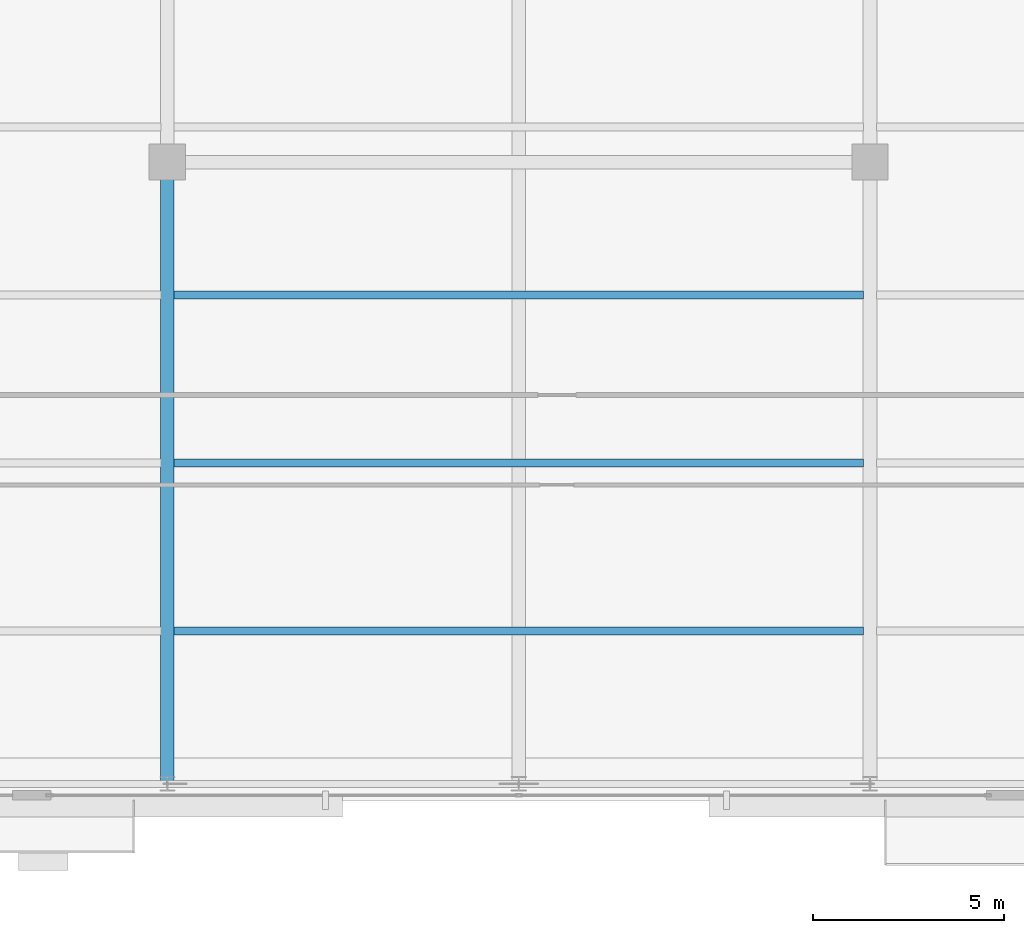
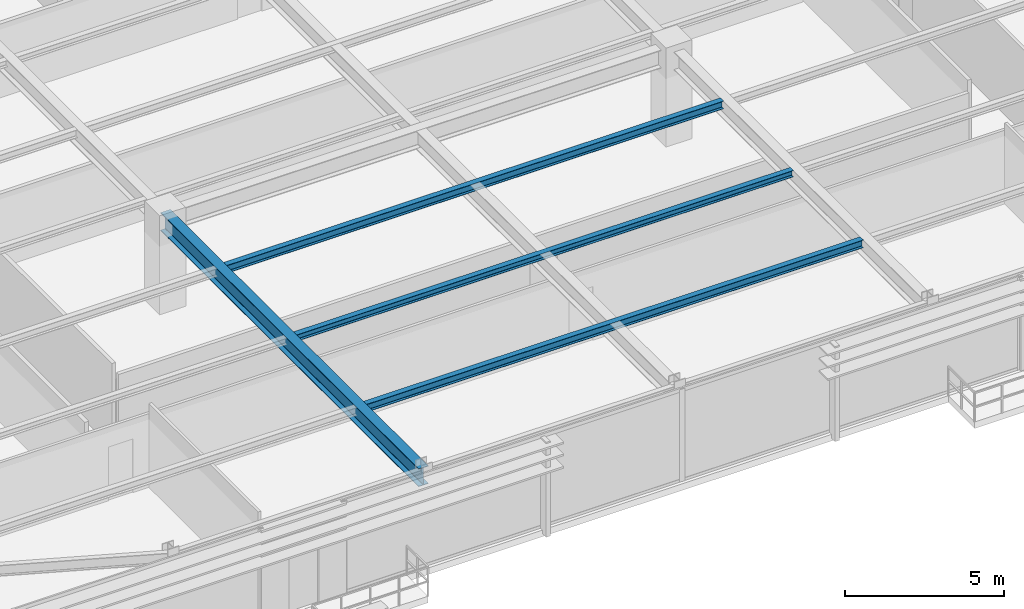
# One storey, part 7 of 36: 4 beams.
"""IFC4 building model written with IfcOpenShell, lengths in metres."""

from ifc_helpers import new_model, si_unit, direction, frame, origin, origin_2d, place, context, subcontext, project, spatial, i_section, extrude, source, transform, mapped, material, material_profile, profile_set, type_object, type_shapes, element, save


model = new_model("IFC4")

# Units and contexts
model_context = context("Model", 3, precision=1e-05, world=origin(), true_north=direction((0.0, 1.0)))
body_context = subcontext(model_context, "Body", "Model", "MODEL_VIEW")
ifc_project = project(units=[si_unit("LENGTHUNIT", "METRE"), si_unit("AREAUNIT", "SQUARE_METRE"), si_unit("VOLUMEUNIT", "CUBIC_METRE"), si_unit("PLANEANGLEUNIT", "RADIAN"), si_unit("MASSUNIT", "GRAM", prefix="KILO")], contexts=[model_context])

# Site, building, storey
site_placement = place(None, origin())
site = spatial("IfcSite", under=ifc_project, at=site_placement, CompositionType="ELEMENT")
building_placement = place(site_placement, origin())
building = spatial("IfcBuilding", under=site, at=building_placement, Name="Varnel Quay Broadcast Tower", CompositionType="ELEMENT")
storey_placement = place(building_placement, frame((0.0, 0.0, 114.39990234375)))
storey = spatial("IfcBuildingStorey", under=building, at=storey_placement, Name="L27", CompositionType="ELEMENT", Elevation=114.39990234375)

# Beams
ifc_material = material(Name="Structural Steel CSA G40.21 350W", Category="steel")
ifc_material_profile_1 = material_profile(ifc_material, i_section(OverallWidth=0.35498046875, OverallDepth=0.695068359375, WebThickness=0.015380859375, FlangeThickness=0.02490234375, FilletRadius=0.01806640625, at=origin_2d()), Name="W690X217")
ifc_profile_set_1 = profile_set([ifc_material_profile_1], Name="Structural Steel CSA G40.21 350W")
beam_type_1 = type_object("IfcBeamType", Name="Girder_W690X217", PredefinedType="BEAM", material=ifc_profile_set_1)
shared_shape_1 = source(origin(), body_context, "Body", "SweptSolid", [
    extrude(i_section(OverallWidth=0.35498046875, OverallDepth=0.695068359375, WebThickness=0.015380859375, FlangeThickness=0.02490234375, FilletRadius=0.01806640625, at=origin_2d()), origin(), (0.0, 0.0, 1.0), 16.239990234375),
])
type_shapes(beam_type_1, [shared_shape_1])
beam_1_placement = place(storey_placement, frame((24.800048828125, 4.669921875, 3.20263671875), z_axis=(0.0, 1.0, 0.0), x_axis=(-1.0, 0.0, 0.0)))
element("IfcBeam", 1, at=beam_1_placement, inside=storey, type_object=beam_type_1, Name="L27 Primary Girder TC-S2-IC-01", PredefinedType="BEAM", context=body_context, shape_type="MappedRepresentation", body=[
    mapped(shared_shape_1, transform((0.0, 0.0, 0.0), x_axis=(1.0, 0.0, 0.0), y_axis=(0.0, 1.0, 0.0), z_axis=(0.0, 0.0, 1.0), scale=1.0)),
])
ifc_material_profile_2 = material_profile(ifc_material, i_section(OverallWidth=0.202880859375, OverallDepth=0.302978515625, WebThickness=0.007568359375, FlangeThickness=0.01318359375, FilletRadius=0.011962890625, at=origin_2d()), Name="W310X60")
ifc_profile_set_2 = profile_set([ifc_material_profile_2], Name="Structural Steel CSA G40.21 350W")
beam_type_2 = type_object("IfcBeamType", Name="Beam_W310X60", PredefinedType="JOIST", material=ifc_profile_set_2)
shared_shape_2 = source(origin(), body_context, "Body", "SweptSolid", [
    extrude(i_section(OverallWidth=0.202880859375, OverallDepth=0.302978515625, WebThickness=0.007568359375, FlangeThickness=0.01318359375, FilletRadius=0.011962890625, at=origin_2d()), origin(), (0.0, 0.0, 1.0), 18.05517578125),
])
type_shapes(beam_type_2, [shared_shape_2])
for number, where, z_axis, x_axis, name in (
    (2, (24.972412109375, 8.64990234375, 3.398681640625), (1.0, 0.0, 0.0), (0.0, 1.0, 0.0), "L27 Central Floor Joist 1"),
    (3, (24.972412109375, 17.449951171875, 3.398681640625), (1.0, 0.0, 0.0), (0.0, 1.0, 0.0), "L27 Central Floor Joist 3"),
):
    element("IfcBeam", number, at=place(storey_placement, frame(where, z_axis=z_axis, x_axis=x_axis)), inside=storey, type_object=beam_type_2, Name=name, PredefinedType="JOIST", context=body_context, shape_type="MappedRepresentation", body=[
        mapped(shared_shape_2, transform((0.0, 0.0, 0.0), x_axis=(1.0, 0.0, 0.0), y_axis=(0.0, 1.0, 0.0), z_axis=(0.0, 0.0, 1.0), scale=1.0)),
    ])
ifc_material_profile_3 = material_profile(ifc_material, i_section(OverallWidth=0.201904296875, OverallDepth=0.2470703125, WebThickness=0.00732421875, FlangeThickness=0.010986328125, FilletRadius=0.010986328125, at=origin_2d()), Name="W250X49")
ifc_profile_set_3 = profile_set([ifc_material_profile_3], Name="Structural Steel CSA G40.21 350W")
beam_type_3 = type_object("IfcBeamType", Name="Beam_W250X49", PredefinedType="JOIST", material=ifc_profile_set_3)
shared_shape_3 = source(origin(), body_context, "Body", "SweptSolid", [
    extrude(i_section(OverallWidth=0.201904296875, OverallDepth=0.2470703125, WebThickness=0.00732421875, FlangeThickness=0.010986328125, FilletRadius=0.010986328125, at=origin_2d()), origin(), (0.0, 0.0, 1.0), 18.05517578125),
])
type_shapes(beam_type_3, [shared_shape_3])
beam_2_placement = place(storey_placement, frame((24.972412109375, 13.050048828125, 3.426513671875), z_axis=(1.0, 0.0, 0.0), x_axis=(0.0, 1.0, 0.0)))
element("IfcBeam", 4, at=beam_2_placement, inside=storey, type_object=beam_type_3, Name="L27 Central Floor Joist 2", PredefinedType="JOIST", context=body_context, shape_type="MappedRepresentation", body=[
    mapped(shared_shape_3, transform((0.0, 0.0, 0.0), x_axis=(1.0, 0.0, 0.0), y_axis=(0.0, 1.0, 0.0), z_axis=(0.0, 0.0, 1.0), scale=1.0)),
])

save(model, "model.ifc")
